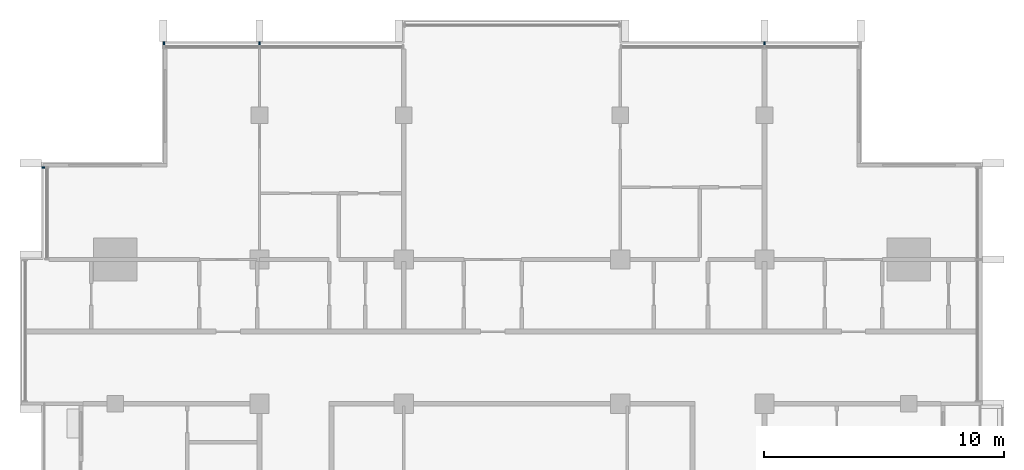
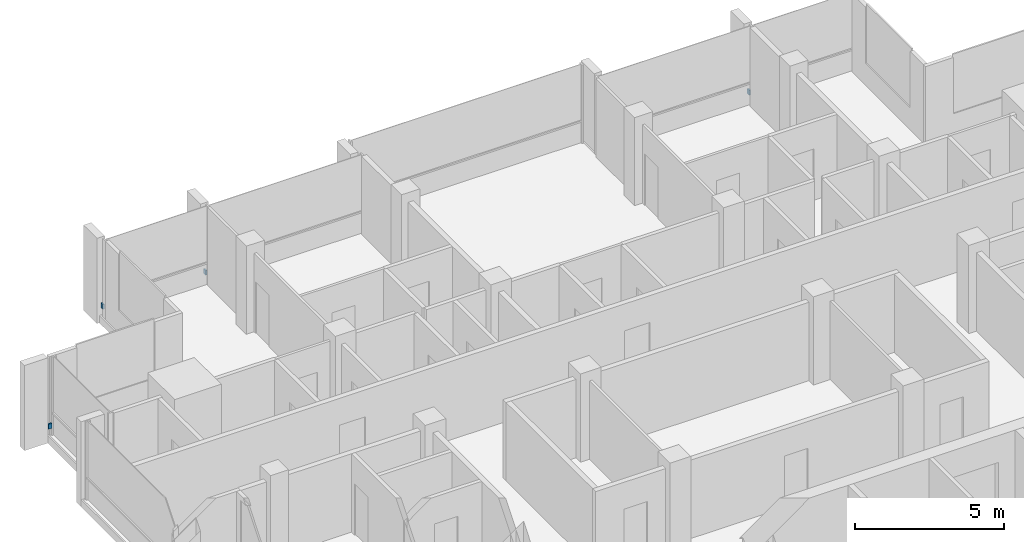
# One storey, part 14 of 16: 4 discrete accessories.
"""IFC4 building model written with IfcOpenShell, lengths in metres."""

from ifc_helpers import new_model, si_unit, direction, frame, origin, origin_2d, place, context, subcontext, project, spatial, rectangle, extrude, material, type_object, element, save


model = new_model("IFC4")

# Units and contexts
model_context = context("Model", 3, precision=1e-05, world=origin(), true_north=direction((0.0, 1.0)))
body_context = subcontext(model_context, "Body", "Model", "MODEL_VIEW")
ifc_project = project(units=[si_unit("LENGTHUNIT", "METRE"), si_unit("AREAUNIT", "SQUARE_METRE"), si_unit("VOLUMEUNIT", "CUBIC_METRE"), si_unit("PLANEANGLEUNIT", "RADIAN"), si_unit("MASSUNIT", "GRAM", prefix="KILO")], contexts=[model_context])

# Site, building, storey
site_placement = place(None, origin())
site = spatial("IfcSite", under=ifc_project, at=site_placement, CompositionType="ELEMENT")
building_placement = place(site_placement, origin())
building = spatial("IfcBuilding", under=site, at=building_placement, Name="Finial Court Residences", CompositionType="ELEMENT")
storey_placement = place(building_placement, frame((0.0, 0.0, 295.10009765625)))
storey = spatial("IfcBuildingStorey", under=building, at=storey_placement, Name="L75", CompositionType="ELEMENT", Elevation=295.10009765625)

# Discrete accessories
ifc_material = material(Name="Stainless steel 316", Category="steel")
discrete_accessory_type = type_object("IfcDiscreteAccessoryType", Name="Fin bracket, stainless steel 60 x 122 x 200", PredefinedType="BRACKET", material=ifc_material)
for number, where, z_axis, x_axis, name in (
    (1, (-14.469970703125, 16.498779296875, 0.2998046875), (0.0, 0.0, 1.0), (1.0, 0.0, 0.0), "E-L75-FIN-N1-BRK"),
    (2, (-10.5, 16.498779296875, 0.2998046875), (0.0, 0.0, 1.0), (1.0, 0.0, 0.0), "E-L75-FIN-N2-BRK"),
    (3, (10.5, 16.498779296875, 0.2998046875), (0.0, 0.0, 1.0), (1.0, 0.0, 0.0), "E-L75-FIN-N5-BRK"),
):
    element("IfcDiscreteAccessory", number, at=place(storey_placement, frame(where, z_axis=z_axis, x_axis=x_axis)), inside=storey, type_object=discrete_accessory_type, Name=name, PredefinedType="BRACKET", context=body_context, shape_type="SweptSolid", body=[
        extrude(rectangle(XDim=0.06005859375, YDim=0.12255859375, at=origin_2d()), origin(), (0.0, 0.0, 1.0), 0.199951171875),
    ])
discrete_accessory_placement = place(storey_placement, frame((-19.498779296875, 11.320068359375, 0.2998046875), z_axis=(0.0, 0.0, 1.0), x_axis=(1.0, 0.0, 0.0)))
element("IfcDiscreteAccessory", 4, at=discrete_accessory_placement, inside=storey, type_object=discrete_accessory_type, Name="E-L75-FIN-W26-BRK", PredefinedType="BRACKET", context=body_context, shape_type="SweptSolid", body=[
    extrude(rectangle(XDim=0.12255859375, YDim=0.06005859375, at=origin_2d()), origin(), (0.0, 0.0, 1.0), 0.199951171875),
])

save(model, "model.ifc")
